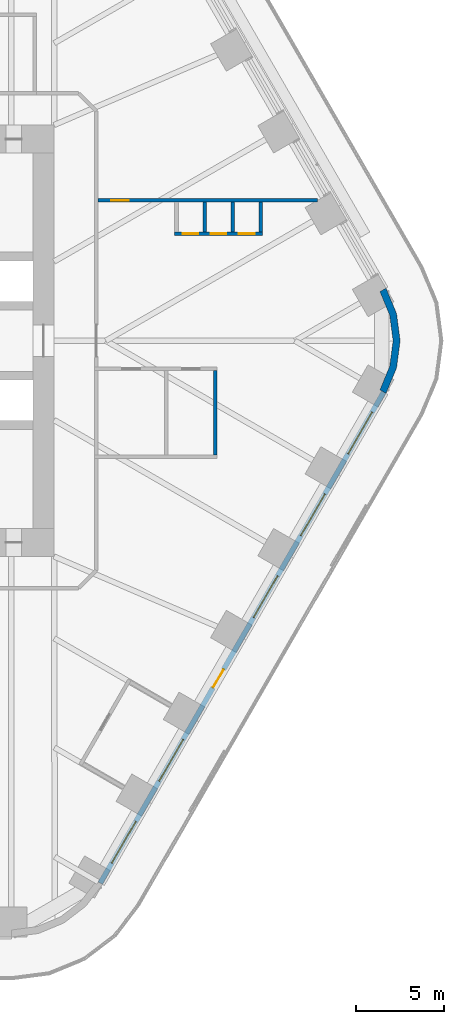
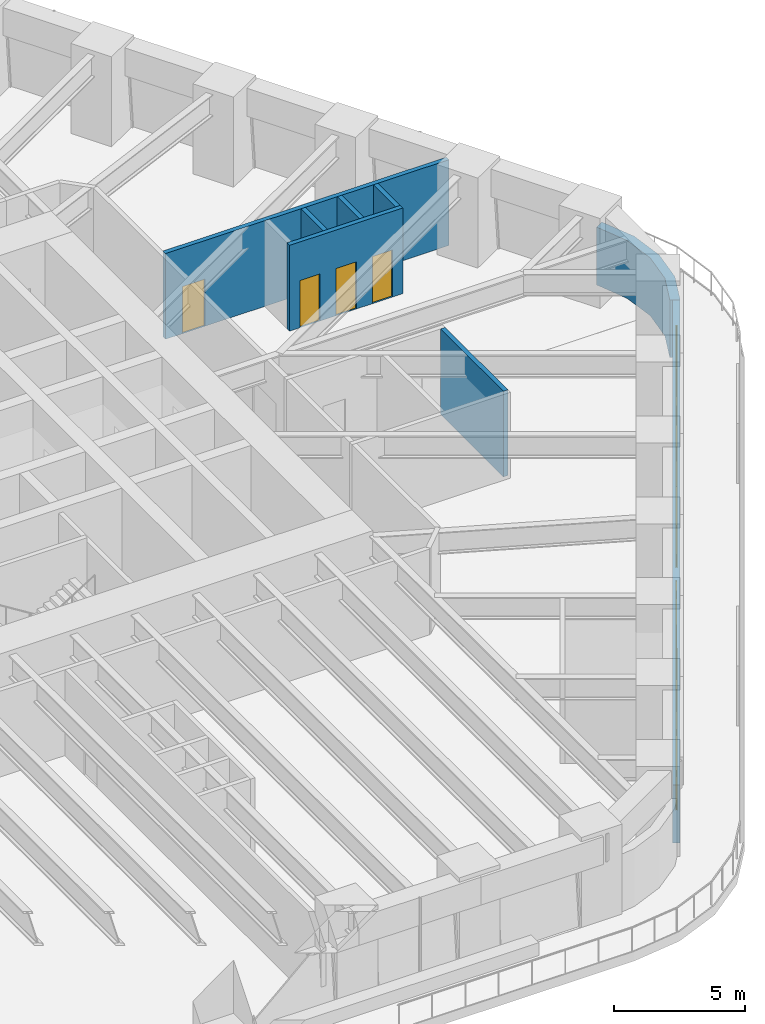
# One storey, part 20 of 24: 8 walls, 5 doors, 5 windows, 10 openings.
"""IFC4 building model written with IfcOpenShell, lengths in metres."""

from ifc_helpers import new_model, si_unit, direction, frame, frame_2d, origin, place, context, subcontext, project, spatial, polyline, rectangle, outline, extrude, material, layer, layer_set, type_object, element, fill, save


model = new_model("IFC4")

# Units and contexts
model_context = context("Model", 3, precision=1e-05, world=origin(), true_north=direction((0.0, 1.0)))
body_context = subcontext(model_context, "Body", "Model", "MODEL_VIEW")
ifc_project = project(units=[si_unit("LENGTHUNIT", "METRE"), si_unit("AREAUNIT", "SQUARE_METRE"), si_unit("VOLUMEUNIT", "CUBIC_METRE"), si_unit("PLANEANGLEUNIT", "RADIAN"), si_unit("MASSUNIT", "GRAM", prefix="KILO")], contexts=[model_context])

# Site, building, storey
site_placement = place(None, origin())
site = spatial("IfcSite", under=ifc_project, at=site_placement, CompositionType="ELEMENT")
building_placement = place(site_placement, origin())
building = spatial("IfcBuilding", under=site, at=building_placement, Name="Tarfa Lantern Tower", CompositionType="ELEMENT")
storey_placement = place(building_placement, frame((0.0, 0.0, 90.699951171875)))
storey = spatial("IfcBuildingStorey", under=building, at=storey_placement, Name="L20", CompositionType="ELEMENT", Elevation=90.699951171875)

# Wall, openings, door, windows
ifc_material_1 = material(Name="Limestone cladding on blockwork", Category="masonry")
ifc_layer_1 = layer(ifc_material_1, 0.300048828125)
ifc_layer_set_1 = layer_set([ifc_layer_1], Name="EW1 STONE-CLAD WALL 300")
wall_type_1 = type_object("IfcWallType", Name="EW1 STONE-CLAD WALL 300", PredefinedType="SOLIDWALL", material=ifc_layer_set_1)
wall_1_placement = place(storey_placement, frame((21.232177734375, -30.925048828125, 0.0), z_axis=(0.0, 0.0, 1.0), x_axis=(0.499999163675, 0.866025886636, 0.0)))
wall_1 = element("IfcWall", 1, at=wall_1_placement, inside=storey, type_object=wall_type_1, Name="Stone wall SE", PredefinedType="SOLIDWALL", context=body_context, shape_type="SweptSolid", body=[
    extrude(rectangle(XDim=32.33154296875, YDim=0.300048828125, at=frame_2d((16.165771484375, 0.0))), origin(), (0.0, 0.0, 1.0), 2.699951171875),
])
opening_1_placement = place(wall_1_placement, frame((1.3193359375, 0.0, 0.60009765625)))
opening_1 = element("IfcOpeningElement", 2, at=opening_1_placement, cuts=wall_1, Name="Opening W2", PredefinedType="OPENING", context=body_context, shape_type="SweptSolid", body=[
    extrude(rectangle(XDim=2.75, YDim=1.85009765625, at=frame_2d((1.375, 0.925048828125))), frame((0.0, 0.159912109375, 0.0), z_axis=(0.0, -1.0, 0.0), x_axis=(1.0, 0.0, 0.0)), (0.0, 0.0, 1.0), 0.320068359375),
])
opening_2_placement = place(wall_1_placement, frame((6.7080078125, 0.0, 0.60009765625)))
opening_2 = element("IfcOpeningElement", 3, at=opening_2_placement, cuts=wall_1, Name="Opening W2", PredefinedType="OPENING", context=body_context, shape_type="SweptSolid", body=[
    extrude(rectangle(XDim=2.75, YDim=1.85009765625, at=frame_2d((1.375, 0.925048828125))), frame((0.0, 0.159912109375, 0.0), z_axis=(0.0, -1.0, 0.0), x_axis=(1.0, 0.0, 0.0)), (0.0, 0.0, 1.0), 0.320068359375),
])
opening_3_placement = place(wall_1_placement, frame((12.87158203125, 0.0, 0.0)))
opening_3 = element("IfcOpeningElement", 4, at=opening_3_placement, cuts=wall_1, Name="Opening D49", PredefinedType="OPENING", context=body_context, shape_type="SweptSolid", body=[
    extrude(rectangle(XDim=1.199951171875, YDim=2.39990234375, at=frame_2d((0.60009765625, 1.199951171875))), frame((0.0, 0.159912109375, 0.0), z_axis=(0.0, -1.0, 0.0), x_axis=(1.0, 0.0, 0.0)), (0.0, 0.0, 1.0), 0.320068359375),
])
opening_4_placement = place(wall_1_placement, frame((17.485107421875, 0.0, 0.60009765625)))
opening_4 = element("IfcOpeningElement", 5, at=opening_4_placement, cuts=wall_1, Name="Opening W2", PredefinedType="OPENING", context=body_context, shape_type="SweptSolid", body=[
    extrude(rectangle(XDim=2.75, YDim=1.85009765625, at=frame_2d((1.375, 0.925048828125))), frame((0.0, 0.159912109375, 0.0), z_axis=(0.0, -1.0, 0.0), x_axis=(1.0, 0.0, 0.0)), (0.0, 0.0, 1.0), 0.320068359375),
])
opening_5_placement = place(wall_1_placement, frame((22.873779296875, 0.0, 0.60009765625)))
opening_5 = element("IfcOpeningElement", 6, at=opening_5_placement, cuts=wall_1, Name="Opening W2", PredefinedType="OPENING", context=body_context, shape_type="SweptSolid", body=[
    extrude(rectangle(XDim=2.75, YDim=1.85009765625, at=frame_2d((1.375, 0.925048828125))), frame((0.0, 0.159912109375, 0.0), z_axis=(0.0, -1.0, 0.0), x_axis=(1.0, 0.0, 0.0)), (0.0, 0.0, 1.0), 0.320068359375),
])
opening_6_placement = place(wall_1_placement, frame((28.26220703125, 0.0, 0.60009765625)))
opening_6 = element("IfcOpeningElement", 7, at=opening_6_placement, cuts=wall_1, Name="Opening W2", PredefinedType="OPENING", context=body_context, shape_type="SweptSolid", body=[
    extrude(rectangle(XDim=2.75, YDim=1.85009765625, at=frame_2d((1.375, 0.925048828125))), frame((0.0, 0.159912109375, 0.0), z_axis=(0.0, -1.0, 0.0), x_axis=(1.0, 0.0, 0.0)), (0.0, 0.0, 1.0), 0.320068359375),
])
ifc_material_2 = material(Name="Aluminium framed glazed door", Category="aluminium")
door_type_1 = type_object("IfcDoorType", Name="BE3 BALCONY DOOR 1200x2400", OperationType="SINGLE_SWING_RIGHT", PredefinedType="DOOR", material=ifc_material_2)
door_1_placement = place(opening_3_placement, origin())
door_1 = element("IfcDoor", 8, at=door_1_placement, inside=storey, type_object=door_type_1, Name="Balcony door SE", OperationType="SINGLE_SWING_RIGHT", OverallHeight=2.39990234375, OverallWidth=1.199951171875, PredefinedType="DOOR", context=body_context, shape_type="SweptSolid", body=[
    extrude(rectangle(XDim=1.199951171875, YDim=2.39990234375, at=frame_2d((0.60009765625, 1.199951171875))), frame((0.0, 0.02490234375, 0.0), z_axis=(0.0, -1.0, 0.0), x_axis=(1.0, 0.0, 0.0)), (0.0, 0.0, 1.0), 0.050048828125),
])
fill(opening_3, door_1)
ifc_material_3 = material(Name="Aluminium frame, double glazed", Category="aluminium")
window_type = type_object("IfcWindowType", Name="W2 FULL-HEIGHT GLAZING 2750x1850", PartitioningType="SINGLE_PANEL", PredefinedType="WINDOW", material=ifc_material_3)
window_1_placement = place(opening_1_placement, origin())
window_1 = element("IfcWindow", 9, at=window_1_placement, inside=storey, type_object=window_type, Name="Window SE 1", OverallHeight=1.85009765625, OverallWidth=2.75, PartitioningType="SINGLE_PANEL", PredefinedType="WINDOW", context=body_context, shape_type="SweptSolid", body=[
    extrude(rectangle(XDim=2.75, YDim=1.85009765625, at=frame_2d((1.375, 0.925048828125))), frame((0.0, 0.030029296875, 0.0), z_axis=(0.0, -1.0, 0.0), x_axis=(1.0, 0.0, 0.0)), (0.0, 0.0, 1.0), 0.06005859375),
])
fill(opening_1, window_1)
window_2_placement = place(opening_2_placement, origin())
window_2 = element("IfcWindow", 10, at=window_2_placement, inside=storey, type_object=window_type, Name="Window SE 2", OverallHeight=1.85009765625, OverallWidth=2.75, PartitioningType="SINGLE_PANEL", PredefinedType="WINDOW", context=body_context, shape_type="SweptSolid", body=[
    extrude(rectangle(XDim=2.75, YDim=1.85009765625, at=frame_2d((1.375, 0.925048828125))), frame((0.0, 0.030029296875, 0.0), z_axis=(0.0, -1.0, 0.0), x_axis=(1.0, 0.0, 0.0)), (0.0, 0.0, 1.0), 0.06005859375),
])
fill(opening_2, window_2)
window_3_placement = place(opening_4_placement, origin())
window_3 = element("IfcWindow", 11, at=window_3_placement, inside=storey, type_object=window_type, Name="Window SE 4", OverallHeight=1.85009765625, OverallWidth=2.75, PartitioningType="SINGLE_PANEL", PredefinedType="WINDOW", context=body_context, shape_type="SweptSolid", body=[
    extrude(rectangle(XDim=2.75, YDim=1.85009765625, at=frame_2d((1.375, 0.925048828125))), frame((0.0, 0.030029296875, 0.0), z_axis=(0.0, -1.0, 0.0), x_axis=(1.0, 0.0, 0.0)), (0.0, 0.0, 1.0), 0.06005859375),
])
fill(opening_4, window_3)
window_4_placement = place(opening_5_placement, origin())
window_4 = element("IfcWindow", 12, at=window_4_placement, inside=storey, type_object=window_type, Name="Window SE 5", OverallHeight=1.85009765625, OverallWidth=2.75, PartitioningType="SINGLE_PANEL", PredefinedType="WINDOW", context=body_context, shape_type="SweptSolid", body=[
    extrude(rectangle(XDim=2.75, YDim=1.85009765625, at=frame_2d((1.375, 0.925048828125))), frame((0.0, 0.030029296875, 0.0), z_axis=(0.0, -1.0, 0.0), x_axis=(1.0, 0.0, 0.0)), (0.0, 0.0, 1.0), 0.06005859375),
])
fill(opening_5, window_4)
window_5_placement = place(opening_6_placement, origin())
window_5 = element("IfcWindow", 13, at=window_5_placement, inside=storey, type_object=window_type, Name="Window SE 6", OverallHeight=1.85009765625, OverallWidth=2.75, PartitioningType="SINGLE_PANEL", PredefinedType="WINDOW", context=body_context, shape_type="SweptSolid", body=[
    extrude(rectangle(XDim=2.75, YDim=1.85009765625, at=frame_2d((1.375, 0.925048828125))), frame((0.0, 0.030029296875, 0.0), z_axis=(0.0, -1.0, 0.0), x_axis=(1.0, 0.0, 0.0)), (0.0, 0.0, 1.0), 0.06005859375),
])
fill(opening_6, window_5)

# Walls
ifc_layer_2 = layer(ifc_material_1, 0.39990234375)
ifc_layer_set_2 = layer_set([ifc_layer_2], Name="EW2 CURVED STONE CORNER 400")
wall_type_2 = type_object("IfcWallType", Name="EW2 CURVED STONE CORNER 400", PredefinedType="SOLIDWALL", material=ifc_layer_set_2)
wall_2_placement = place(storey_placement, origin())
element("IfcWall", 14, at=wall_2_placement, inside=storey, type_object=wall_type_2, Name="Stone corner SE-NE", PredefinedType="SOLIDWALL", context=body_context, shape_type="SweptSolid", body=[
    extrude(outline(polyline([(37.52783203125, -3.0), (38.127197265625, -1.552978515625), (38.33154296875, 0.0), (38.127197265625, 1.552978515625), (37.52783203125, 3.0), (37.181396484375, 2.800048828125), (37.74072265625, 1.449462890625), (37.931640625, 0.0), (37.74072265625, -1.449462890625), (37.181396484375, -2.800048828125), (37.52783203125, -3.0)])), origin(), (0.0, 0.0, 1.0), 2.699951171875),
])
ifc_material_4 = material(Name="Gypsum board on steel studs", Category="steel")
ifc_layer_3 = layer(ifc_material_4, 0.2099609375)
ifc_layer_set_3 = layer_set([ifc_layer_3], Name="IW2 ACOUSTIC PARTITION 200")
wall_type_3 = type_object("IfcWallType", Name="IW2 ACOUSTIC PARTITION 200", PredefinedType="PARTITIONING", material=ifc_layer_set_3)
wall_3_placement = place(storey_placement, frame((27.800048828125, -1.699951171875, 0.0), z_axis=(0.0, 0.0, 1.0), x_axis=(0.0, -1.0, 0.0)))
element("IfcWall", 15, at=wall_3_placement, inside=storey, type_object=wall_type_3, Name="Partition", PredefinedType="PARTITIONING", context=body_context, shape_type="SweptSolid", body=[
    extrude(rectangle(XDim=4.800048828125, YDim=0.199951171875, at=frame_2d((2.39990234375, 0.0))), origin(), (0.0, 0.0, 1.0), 4.0),
])

# Wall, opening, door
wall_4_placement = place(storey_placement, frame((21.10009765625, 8.0, 0.0), z_axis=(0.0, 0.0, 1.0), x_axis=(1.0, 0.0, 0.0)))
wall_4 = element("IfcWall", 16, at=wall_4_placement, inside=storey, type_object=wall_type_3, Name="Partition", PredefinedType="PARTITIONING", context=body_context, shape_type="SweptSolid", body=[
    extrude(rectangle(XDim=12.5107421875, YDim=0.199951171875, at=frame_2d((6.25537109375, 0.0))), origin(), (0.0, 0.0, 1.0), 4.0),
])
opening_7_placement = place(wall_4_placement, frame((0.7509765625, 0.0, 0.0)))
opening_7 = element("IfcOpeningElement", 17, at=opening_7_placement, cuts=wall_4, Name="Opening D45", PredefinedType="OPENING", context=body_context, shape_type="SweptSolid", body=[
    extrude(rectangle(XDim=1.0, YDim=2.199951171875, at=frame_2d((0.5, 1.10009765625))), frame((0.0, 0.10986328125, 0.0), z_axis=(0.0, -1.0, 0.0), x_axis=(1.0, 0.0, 0.0)), (0.0, 0.0, 1.0), 0.219970703125),
])
ifc_material_5 = material(Name="Timber door", Category="wood")
door_type_2 = type_object("IfcDoorType", Name="DR1 ROOM DOOR 1000x2200", OperationType="SINGLE_SWING_LEFT", PredefinedType="DOOR", material=ifc_material_5)
door_2_placement = place(opening_7_placement, frame((1.0, 0.0, 0.0), z_axis=(0.0, 0.0, 1.0), x_axis=(-1.0, 0.0, 0.0)))
door_2 = element("IfcDoor", 18, at=door_2_placement, inside=storey, type_object=door_type_2, Name="Zone door", OperationType="SINGLE_SWING_LEFT", OverallHeight=2.199951171875, OverallWidth=1.0, PredefinedType="DOOR", context=body_context, shape_type="SweptSolid", body=[
    extrude(rectangle(XDim=1.0, YDim=2.199951171875, at=frame_2d((0.5, 1.10009765625))), frame((0.0, 0.02490234375, 0.0), z_axis=(0.0, -1.0, 0.0), x_axis=(1.0, 0.0, 0.0)), (0.0, 0.0, 1.0), 0.050048828125),
])
fill(opening_7, door_2)

# Wall, openings, doors
wall_5_placement = place(storey_placement, frame((25.48095703125, 6.10009765625, 0.0), z_axis=(0.0, 0.0, 1.0), x_axis=(1.0, 0.0, 0.0)))
wall_5 = element("IfcWall", 19, at=wall_5_placement, inside=storey, type_object=wall_type_3, Name="Partition", PredefinedType="PARTITIONING", context=body_context, shape_type="SweptSolid", body=[
    extrude(rectangle(XDim=5.0, YDim=0.199951171875, at=frame_2d((2.5, 0.0))), origin(), (0.0, 0.0, 1.0), 4.0),
])
opening_8_placement = place(wall_5_placement, frame((0.449951171875, 0.0, 0.0)))
opening_8 = element("IfcOpeningElement", 20, at=opening_8_placement, cuts=wall_5, Name="Opening D39", PredefinedType="OPENING", context=body_context, shape_type="SweptSolid", body=[
    extrude(rectangle(XDim=0.89990234375, YDim=2.199951171875, at=frame_2d((0.449951171875, 1.10009765625))), frame((0.0, 0.10986328125, 0.0), z_axis=(0.0, -1.0, 0.0), x_axis=(1.0, 0.0, 0.0)), (0.0, 0.0, 1.0), 0.219970703125),
])
opening_9_placement = place(wall_5_placement, frame((2.050048828125, 0.0, 0.0)))
opening_9 = element("IfcOpeningElement", 21, at=opening_9_placement, cuts=wall_5, Name="Opening D40", PredefinedType="OPENING", context=body_context, shape_type="SweptSolid", body=[
    extrude(rectangle(XDim=0.89990234375, YDim=2.199951171875, at=frame_2d((0.449951171875, 1.10009765625))), frame((0.0, 0.10986328125, 0.0), z_axis=(0.0, -1.0, 0.0), x_axis=(1.0, 0.0, 0.0)), (0.0, 0.0, 1.0), 0.219970703125),
])
opening_10_placement = place(wall_5_placement, frame((3.64990234375, 0.0, 0.0)))
opening_10 = element("IfcOpeningElement", 22, at=opening_10_placement, cuts=wall_5, Name="Opening D41", PredefinedType="OPENING", context=body_context, shape_type="SweptSolid", body=[
    extrude(rectangle(XDim=0.89990234375, YDim=2.199951171875, at=frame_2d((0.449951171875, 1.10009765625))), frame((0.0, 0.10986328125, 0.0), z_axis=(0.0, -1.0, 0.0), x_axis=(1.0, 0.0, 0.0)), (0.0, 0.0, 1.0), 0.219970703125),
])
door_type_3 = type_object("IfcDoorType", Name="DR3 ROOM DOOR 900x2200", OperationType="SINGLE_SWING_LEFT", PredefinedType="DOOR", material=ifc_material_5)
door_3_placement = place(opening_8_placement, origin())
door_3 = element("IfcDoor", 23, at=door_3_placement, inside=storey, type_object=door_type_3, Name="Phone booth door", OperationType="SINGLE_SWING_RIGHT", OverallHeight=2.199951171875, OverallWidth=0.89990234375, PredefinedType="DOOR", context=body_context, shape_type="SweptSolid", body=[
    extrude(rectangle(XDim=0.89990234375, YDim=2.199951171875, at=frame_2d((0.449951171875, 1.10009765625))), frame((0.0, 0.02490234375, 0.0), z_axis=(0.0, -1.0, 0.0), x_axis=(1.0, 0.0, 0.0)), (0.0, 0.0, 1.0), 0.050048828125),
])
fill(opening_8, door_3)
door_4_placement = place(opening_9_placement, origin())
door_4 = element("IfcDoor", 24, at=door_4_placement, inside=storey, type_object=door_type_3, Name="Phone booth door", OperationType="SINGLE_SWING_RIGHT", OverallHeight=2.199951171875, OverallWidth=0.89990234375, PredefinedType="DOOR", context=body_context, shape_type="SweptSolid", body=[
    extrude(rectangle(XDim=0.89990234375, YDim=2.199951171875, at=frame_2d((0.449951171875, 1.10009765625))), frame((0.0, 0.02490234375, 0.0), z_axis=(0.0, -1.0, 0.0), x_axis=(1.0, 0.0, 0.0)), (0.0, 0.0, 1.0), 0.050048828125),
])
fill(opening_9, door_4)
door_5_placement = place(opening_10_placement, origin())
door_5 = element("IfcDoor", 25, at=door_5_placement, inside=storey, type_object=door_type_3, Name="Phone booth door", OperationType="SINGLE_SWING_LEFT", OverallHeight=2.199951171875, OverallWidth=0.89990234375, PredefinedType="DOOR", context=body_context, shape_type="SweptSolid", body=[
    extrude(rectangle(XDim=0.89990234375, YDim=2.199951171875, at=frame_2d((0.449951171875, 1.10009765625))), frame((0.0, 0.02490234375, 0.0), z_axis=(0.0, -1.0, 0.0), x_axis=(1.0, 0.0, 0.0)), (0.0, 0.0, 1.0), 0.050048828125),
])
fill(opening_10, door_5)

# Walls
for number, where, z_axis, x_axis, name in (
    (26, (27.180908203125, 7.89990234375, 0.0), (0.0, 0.0, 1.0), (0.0, -1.0, 0.0), "Partition"),
    (27, (28.781005859375, 7.89990234375, 0.0), (0.0, 0.0, 1.0), (0.0, -1.0, 0.0), "Partition"),
    (28, (30.380859375, 7.89990234375, 0.0), (0.0, 0.0, 1.0), (0.0, -1.0, 0.0), "Partition"),
):
    element("IfcWall", number, at=place(storey_placement, frame(where, z_axis=z_axis, x_axis=x_axis)), inside=storey, type_object=wall_type_3, Name=name, PredefinedType="PARTITIONING", context=body_context, shape_type="SweptSolid", body=[
        extrude(rectangle(XDim=1.699951171875, YDim=0.199951171875, at=frame_2d((0.85009765625, 0.0))), origin(), (0.0, 0.0, 1.0), 4.0),
    ])

save(model, "model.ifc")
